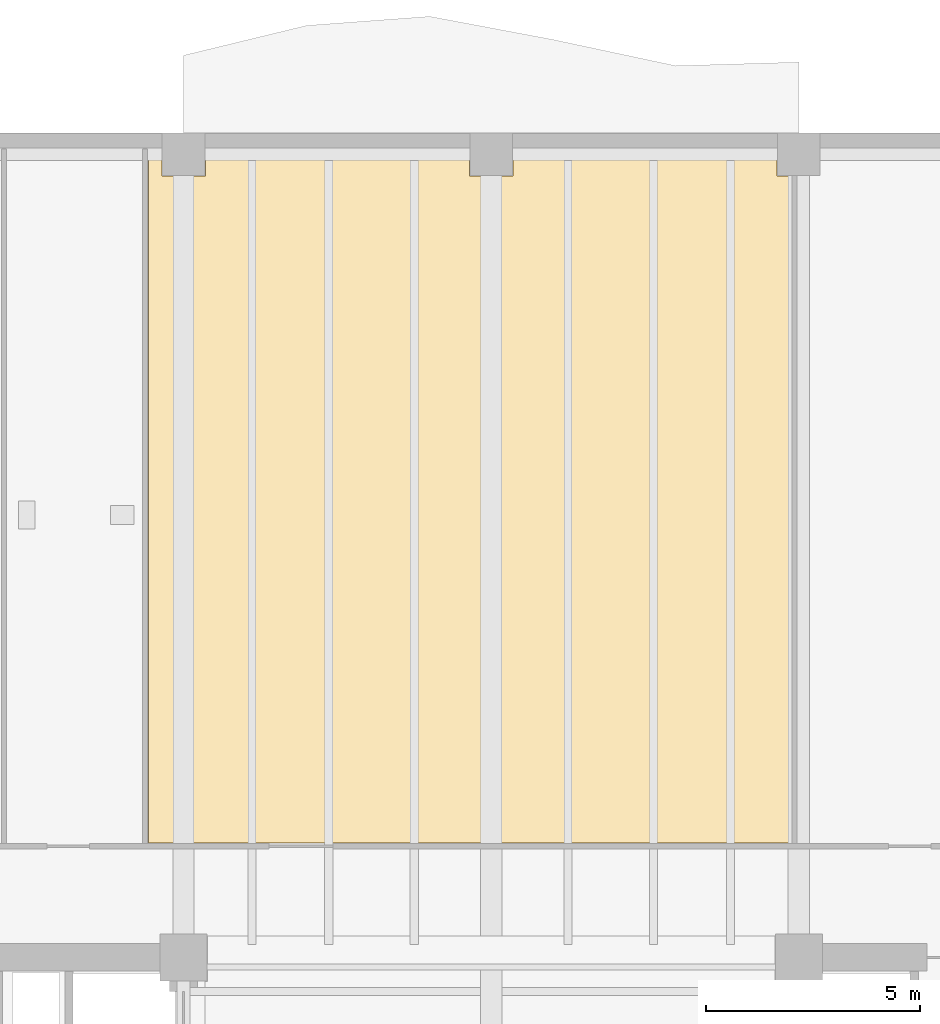
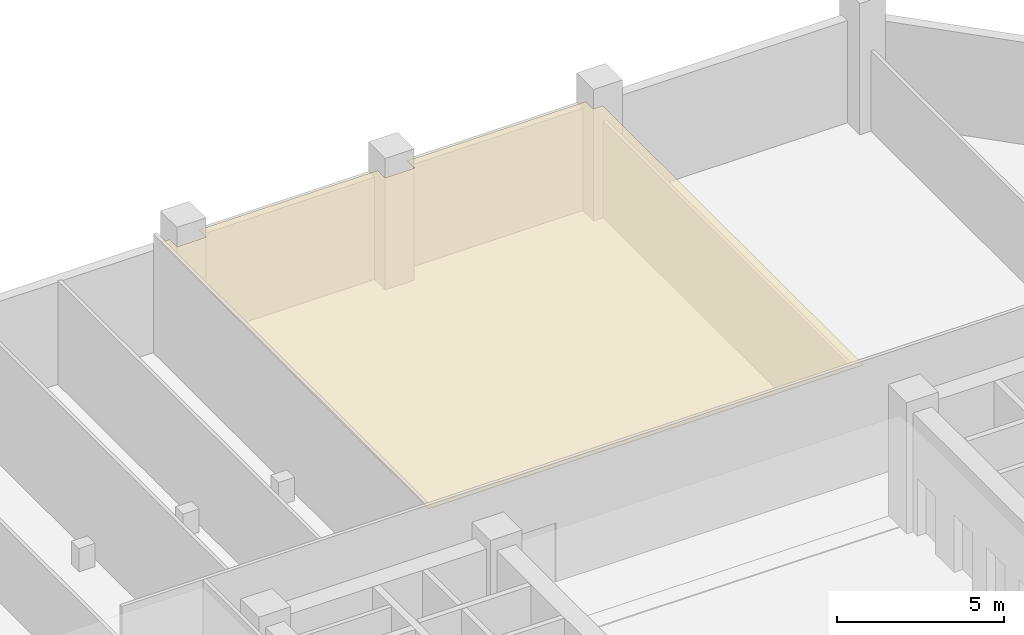
# One storey, part 15 of 16: 1 covering.
"""IFC4 building model written with IfcOpenShell, lengths in metres."""

from ifc_helpers import new_model, si_unit, direction, frame, origin, place, context, subcontext, project, spatial, polyline, outline, extrude, material, layer, layer_set, type_object, element, save


model = new_model("IFC4")

# Units and contexts
model_context = context("Model", 3, precision=1e-05, world=origin(), true_north=direction((0.0, 1.0)))
body_context = subcontext(model_context, "Body", "Model", "MODEL_VIEW")
ifc_project = project(units=[si_unit("LENGTHUNIT", "METRE"), si_unit("AREAUNIT", "SQUARE_METRE"), si_unit("VOLUMEUNIT", "CUBIC_METRE"), si_unit("PLANEANGLEUNIT", "RADIAN"), si_unit("MASSUNIT", "GRAM", prefix="KILO")], contexts=[model_context])

# Site, building, storey
site_placement = place(None, origin())
site = spatial("IfcSite", under=ifc_project, at=site_placement, CompositionType="ELEMENT")
building_placement = place(site_placement, origin())
building = spatial("IfcBuilding", under=site, at=building_placement, Name="Kranthara Brick Stack", CompositionType="ELEMENT")
storey_placement = place(building_placement, frame((0.0, 0.0, 115.5)))
storey = spatial("IfcBuildingStorey", under=building, at=storey_placement, Name="L28", CompositionType="ELEMENT", Elevation=115.5)

# Covering
ifc_material = material(Name="Perforated mineral-fibre acoustic ceiling tile", Category="other")
ifc_layer = layer(ifc_material, 0.02490234375)
ifc_layer_set = layer_set([ifc_layer], Name="Perforated mineral-fibre acoustic ceiling tile")
covering_type = type_object("IfcCoveringType", Name="COV-CEIL-ACOUSTIC", PredefinedType="CEILING", material=ifc_layer_set)
covering_placement = place(storey_placement, frame((0.0, 0.0, 4.080078125)))
element("IfcCovering", 1, at=covering_placement, inside=storey, type_object=covering_type, Name="L28 L28 Sky Fitness Studio and Wellness Club Acoustic Ceiling", PredefinedType="CEILING", context=body_context, shape_type="SweptSolid", body=[
    extrude(outline(polyline([(19.97998046875, 36.280029296875), (19.97998046875, 52.330078125), (20.2900390625, 52.330078125), (20.2900390625, 51.889892578125), (21.31005859375, 51.889892578125), (21.31005859375, 52.330078125), (27.489990234375, 52.330078125), (27.489990234375, 51.889892578125), (28.510009765625, 51.889892578125), (28.510009765625, 52.330078125), (34.68994140625, 52.330078125), (34.68994140625, 51.889892578125), (35.02001953125, 51.889892578125), (35.02001953125, 36.280029296875), (19.97998046875, 36.280029296875)])), origin(), (0.0, 0.0, 1.0), 0.02490234375),
])

save(model, "model.ifc")
